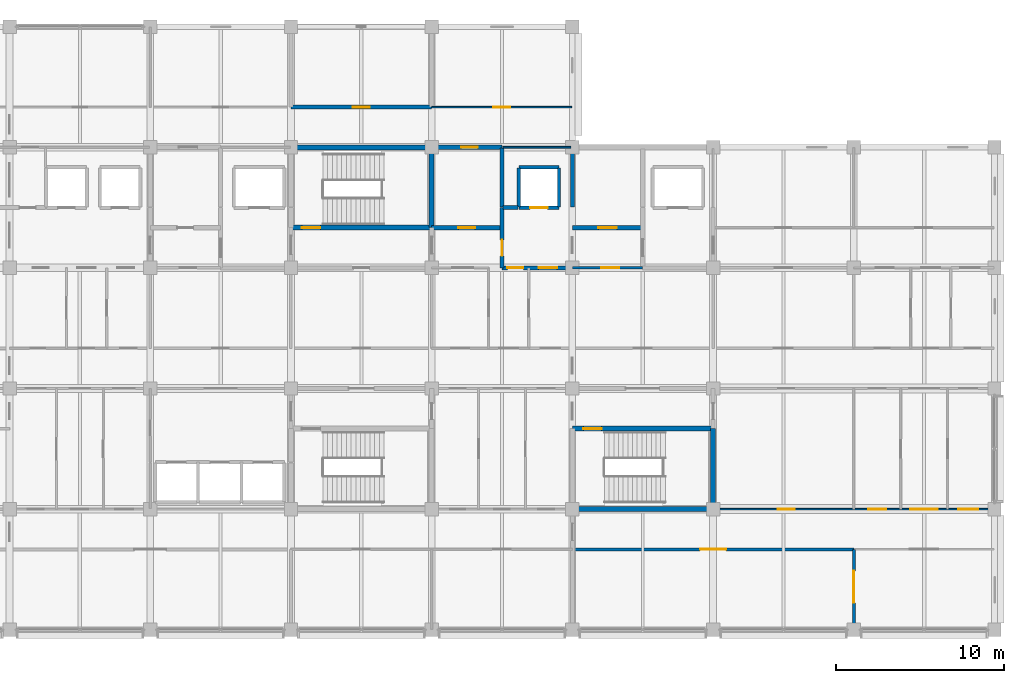
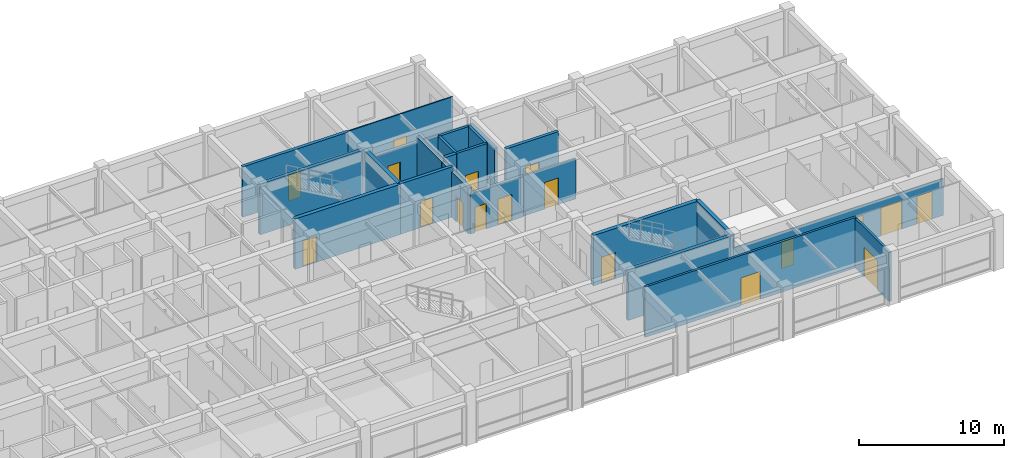
# One storey, part 24 of 30: 25 walls, 18 doors, 18 openings.
"""IFC4 building model written with IfcOpenShell, lengths in metres."""

from ifc_helpers import new_model, si_unit, direction, frame, frame_2d, origin, place, context, subcontext, project, spatial, rectangle, extrude, material, layer, layer_set, type_object, element, fill, save


model = new_model("IFC4")

# Units and contexts
model_context = context("Model", 3, precision=1e-05, world=origin(), true_north=direction((0.0, 1.0)))
body_context = subcontext(model_context, "Body", "Model", "MODEL_VIEW")
ifc_project = project(units=[si_unit("LENGTHUNIT", "METRE"), si_unit("AREAUNIT", "SQUARE_METRE"), si_unit("VOLUMEUNIT", "CUBIC_METRE"), si_unit("PLANEANGLEUNIT", "RADIAN"), si_unit("MASSUNIT", "GRAM", prefix="KILO")], contexts=[model_context])

# Site, building, storey
site_placement = place(None, origin())
site = spatial("IfcSite", under=ifc_project, at=site_placement, CompositionType="ELEMENT")
building_placement = place(site_placement, origin())
building = spatial("IfcBuilding", under=site, at=building_placement, Name="Chengyuan Square Courthouse", CompositionType="ELEMENT")
storey_placement = place(building_placement, frame((0.0, 0.0, 30.60009765625)))
storey = spatial("IfcBuildingStorey", under=building, at=storey_placement, Name="L07", CompositionType="ELEMENT", Elevation=30.60009765625)

# Wall, openings, doors
ifc_material_1 = material(Name="Concrete C40", Category="concrete")
ifc_layer_1 = layer(ifc_material_1, 0.25)
ifc_layer_set_1 = layer_set([ifc_layer_1], Name="Concrete C40")
wall_type_1 = type_object("IfcWallType", Name="WL-FW1", PredefinedType="STANDARD", material=ifc_layer_set_1)
wall_1_placement = place(storey_placement, frame((113.39990234375, 100.800048828125, 0.0), z_axis=(0.0, 0.0, 1.0), x_axis=(1.0, 0.0, 0.0)))
wall_1 = element("IfcWall", 1, at=wall_1_placement, inside=storey, type_object=wall_type_1, Name="Interior Wall WL-L07-I2680", PredefinedType="STANDARD", context=body_context, shape_type="SweptSolid", body=[
    extrude(rectangle(XDim=4.2001953125, YDim=0.25, at=frame_2d((2.10009765625, 0.0))), origin(), (0.0, 0.0, 1.0), 3.389892578125),
])
opening_1_placement = place(wall_1_placement, frame((0.324951171875, 0.0, 0.0)))
opening_1 = element("IfcOpeningElement", 2, at=opening_1_placement, cuts=wall_1, Name="Opening DR-2368", PredefinedType="OPENING", context=body_context, shape_type="SweptSolid", body=[
    extrude(rectangle(XDim=0.949951171875, YDim=2.14990234375, at=frame_2d((0.47509765625, 1.074951171875))), frame((0.0, 0.136962890625, 0.0), z_axis=(0.0, -1.0, 0.0), x_axis=(1.0, 0.0, 0.0)), (0.0, 0.0, 1.0), 0.27392578125),
])
opening_2_placement = place(wall_1_placement, frame((2.18994140625, 0.0, 0.0)))
opening_2 = element("IfcOpeningElement", 3, at=opening_2_placement, cuts=wall_1, Name="Opening DR-2369", PredefinedType="OPENING", context=body_context, shape_type="SweptSolid", body=[
    extrude(rectangle(XDim=1.10009765625, YDim=2.199951171875, at=frame_2d((0.550048828125, 1.10009765625))), frame((0.0, 0.136962890625, 0.0), z_axis=(0.0, -1.0, 0.0), x_axis=(1.0, 0.0, 0.0)), (0.0, 0.0, 1.0), 0.27392578125),
])
ifc_material_2 = material(Name="Steel Q235B Fire Door", Category="steel")
door_type_1 = type_object("IfcDoorType", Name="DT-10", OperationType="NOTDEFINED", PredefinedType="DOOR", material=ifc_material_2)
door_1_placement = place(opening_2_placement, origin())
door_1 = element("IfcDoor", 4, at=door_1_placement, inside=storey, type_object=door_type_1, Name="Interior Door DR-2369", OperationType="SINGLE_SWING_LEFT", OverallHeight=2.199951171875, OverallWidth=1.10009765625, PredefinedType="DOOR", context=body_context, shape_type="SweptSolid", body=[
    extrude(rectangle(XDim=1.10009765625, YDim=2.199951171875, at=frame_2d((0.550048828125, 1.10009765625))), frame((0.0, 0.02490234375, 0.0), z_axis=(0.0, -1.0, 0.0), x_axis=(1.0, 0.0, 0.0)), (0.0, 0.0, 1.0), 0.050048828125),
])
fill(opening_2, door_1)
door_type_2 = type_object("IfcDoorType", Name="DT-12", OperationType="NOTDEFINED", PredefinedType="DOOR", material=ifc_material_2)
door_2_placement = place(opening_1_placement, origin())
door_2 = element("IfcDoor", 5, at=door_2_placement, inside=storey, type_object=door_type_2, Name="Interior Door DR-2368", OperationType="SINGLE_SWING_RIGHT", OverallHeight=2.14990234375, OverallWidth=0.949951171875, PredefinedType="DOOR", context=body_context, shape_type="SweptSolid", body=[
    extrude(rectangle(XDim=0.949951171875, YDim=2.14990234375, at=frame_2d((0.47509765625, 1.074951171875))), frame((0.0, 0.02490234375, 0.0), z_axis=(0.0, -1.0, 0.0), x_axis=(1.0, 0.0, 0.0)), (0.0, 0.0, 1.0), 0.050048828125),
])
fill(opening_1, door_2)

# Wall, opening, door
wall_2_placement = place(storey_placement, frame((109.199951171875, 103.199951171875, 0.0), z_axis=(0.0, 0.0, 1.0), x_axis=(1.0, 0.0, 0.0)))
wall_2 = element("IfcWall", 6, at=wall_2_placement, inside=storey, type_object=wall_type_1, Name="Interior Wall WL-L07-I2693", PredefinedType="STANDARD", context=body_context, shape_type="SweptSolid", body=[
    extrude(rectangle(XDim=4.199951171875, YDim=0.25, at=frame_2d((2.10009765625, 0.0))), origin(), (0.0, 0.0, 1.0), 4.239990234375),
])
opening_3_placement = place(wall_2_placement, frame((1.60009765625, 0.0, 0.0)))
opening_3 = element("IfcOpeningElement", 7, at=opening_3_placement, cuts=wall_2, Name="Opening DR-2364", PredefinedType="OPENING", context=body_context, shape_type="SweptSolid", body=[
    extrude(rectangle(XDim=1.0, YDim=2.199951171875, at=frame_2d((0.5, 1.10009765625))), frame((0.0, 0.136962890625, 0.0), z_axis=(0.0, -1.0, 0.0), x_axis=(1.0, 0.0, 0.0)), (0.0, 0.0, 1.0), 0.27392578125),
])
door_type_3 = type_object("IfcDoorType", Name="DT-11", OperationType="NOTDEFINED", PredefinedType="DOOR", material=ifc_material_2)
door_3_placement = place(opening_3_placement, origin())
door_3 = element("IfcDoor", 8, at=door_3_placement, inside=storey, type_object=door_type_3, Name="Interior Door DR-2364", OperationType="SINGLE_SWING_RIGHT", OverallHeight=2.199951171875, OverallWidth=1.0, PredefinedType="DOOR", context=body_context, shape_type="SweptSolid", body=[
    extrude(rectangle(XDim=1.0, YDim=2.199951171875, at=frame_2d((0.5, 1.10009765625))), frame((0.0, 0.02490234375, 0.0), z_axis=(0.0, -1.0, 0.0), x_axis=(1.0, 0.0, 0.0)), (0.0, 0.0, 1.0), 0.050048828125),
])
fill(opening_3, door_3)

wall_3_placement = place(storey_placement, frame((117.60009765625, 103.199951171875, 0.0), z_axis=(0.0, 0.0, 1.0), x_axis=(1.0, 0.0, 0.0)))
wall_3 = element("IfcWall", 9, at=wall_3_placement, inside=storey, type_object=wall_type_1, Name="Interior Wall WL-L07-I2694", PredefinedType="STANDARD", context=body_context, shape_type="SweptSolid", body=[
    extrude(rectangle(XDim=4.199951171875, YDim=0.25, at=frame_2d((2.10009765625, 0.0))), origin(), (0.0, 0.0, 1.0), 4.239990234375),
])
opening_4_placement = place(wall_3_placement, frame((1.550048828125, 0.0, 0.0)))
opening_4 = element("IfcOpeningElement", 10, at=opening_4_placement, cuts=wall_3, Name="Opening DR-2342", PredefinedType="OPENING", context=body_context, shape_type="SweptSolid", body=[
    extrude(rectangle(XDim=1.10009765625, YDim=2.199951171875, at=frame_2d((0.550048828125, 1.10009765625))), frame((0.0, 0.136962890625, 0.0), z_axis=(0.0, -1.0, 0.0), x_axis=(1.0, 0.0, 0.0)), (0.0, 0.0, 1.0), 0.27392578125),
])
door_4_placement = place(opening_4_placement, origin())
door_4 = element("IfcDoor", 11, at=door_4_placement, inside=storey, type_object=door_type_1, Name="Interior Door DR-2342", OperationType="SINGLE_SWING_LEFT", OverallHeight=2.199951171875, OverallWidth=1.10009765625, PredefinedType="DOOR", context=body_context, shape_type="SweptSolid", body=[
    extrude(rectangle(XDim=1.10009765625, YDim=2.199951171875, at=frame_2d((0.550048828125, 1.10009765625))), frame((0.0, 0.02490234375, 0.0), z_axis=(0.0, -1.0, 0.0), x_axis=(1.0, 0.0, 0.0)), (0.0, 0.0, 1.0), 0.050048828125),
])
fill(opening_4, door_4)

# Wall
wall_4_placement = place(storey_placement, frame((113.449951171875, 104.39990234375, 0.0), z_axis=(0.0, 0.0, 1.0), x_axis=(1.0, 0.0, 0.0)))
element("IfcWall", 12, at=wall_4_placement, inside=storey, type_object=wall_type_1, Name="Interior Wall WL-L07-I2706", PredefinedType="STANDARD", context=body_context, shape_type="SweptSolid", body=[
    extrude(rectangle(XDim=0.900146484375, YDim=0.25, at=frame_2d((0.4501953125, 0.0))), origin(), (0.0, 0.0, 1.0), 4.239990234375),
])

# Wall, opening, door
wall_5_placement = place(storey_placement, frame((109.199951171875, 108.0, 0.0), z_axis=(0.0, 0.0, 1.0), x_axis=(1.0, 0.0, 0.0)))
wall_5 = element("IfcWall", 13, at=wall_5_placement, inside=storey, type_object=wall_type_1, Name="Interior Wall WL-L07-I2730", PredefinedType="STANDARD", context=body_context, shape_type="SweptSolid", body=[
    extrude(rectangle(XDim=4.199951171875, YDim=0.25, at=frame_2d((2.10009765625, 0.0))), origin(), (0.0, 0.0, 1.0), 3.389892578125),
])
opening_5_placement = place(wall_5_placement, frame((1.760009765625, 0.0, 0.0)))
opening_5 = element("IfcOpeningElement", 14, at=opening_5_placement, cuts=wall_5, Name="Opening DR-2367", PredefinedType="OPENING", context=body_context, shape_type="SweptSolid", body=[
    extrude(rectangle(XDim=1.0, YDim=2.199951171875, at=frame_2d((0.5, 1.10009765625))), frame((0.0, 0.136962890625, 0.0), z_axis=(0.0, -1.0, 0.0), x_axis=(1.0, 0.0, 0.0)), (0.0, 0.0, 1.0), 0.27392578125),
])
door_5_placement = place(opening_5_placement, origin())
door_5 = element("IfcDoor", 15, at=door_5_placement, inside=storey, type_object=door_type_3, Name="Interior Door DR-2367", OperationType="SINGLE_SWING_LEFT", OverallHeight=2.199951171875, OverallWidth=1.0, PredefinedType="DOOR", context=body_context, shape_type="SweptSolid", body=[
    extrude(rectangle(XDim=1.0, YDim=2.199951171875, at=frame_2d((0.5, 1.10009765625))), frame((0.0, 0.02490234375, 0.0), z_axis=(0.0, -1.0, 0.0), x_axis=(1.0, 0.0, 0.0)), (0.0, 0.0, 1.0), 0.050048828125),
])
fill(opening_5, door_5)

wall_6_placement = place(storey_placement, frame((100.800048828125, 110.39990234375, 0.0), z_axis=(0.0, 0.0, 1.0), x_axis=(1.0, 0.0, 0.0)))
wall_6 = element("IfcWall", 16, at=wall_6_placement, inside=storey, type_object=wall_type_1, Name="Interior Wall WL-L07-I2735", PredefinedType="STANDARD", context=body_context, shape_type="SweptSolid", body=[
    extrude(rectangle(XDim=8.39990234375, YDim=0.25, at=frame_2d((4.199951171875, 0.0))), origin(), (0.0, 0.0, 1.0), 4.239990234375),
])
opening_6_placement = place(wall_6_placement, frame((3.699951171875, 0.0, 0.0)))
opening_6 = element("IfcOpeningElement", 17, at=opening_6_placement, cuts=wall_6, Name="Opening DR-2478", PredefinedType="OPENING", context=body_context, shape_type="SweptSolid", body=[
    extrude(rectangle(XDim=1.0, YDim=2.199951171875, at=frame_2d((0.5, 1.10009765625))), frame((0.0, 0.136962890625, 0.0), z_axis=(0.0, -1.0, 0.0), x_axis=(1.0, 0.0, 0.0)), (0.0, 0.0, 1.0), 0.27392578125),
])
door_6_placement = place(opening_6_placement, origin())
door_6 = element("IfcDoor", 18, at=door_6_placement, inside=storey, type_object=door_type_3, Name="Interior Door DR-2478", OperationType="SINGLE_SWING_RIGHT", OverallHeight=2.199951171875, OverallWidth=1.0, PredefinedType="DOOR", context=body_context, shape_type="SweptSolid", body=[
    extrude(rectangle(XDim=1.0, YDim=2.199951171875, at=frame_2d((0.5, 1.10009765625))), frame((0.0, 0.02490234375, 0.0), z_axis=(0.0, -1.0, 0.0), x_axis=(1.0, 0.0, 0.0)), (0.0, 0.0, 1.0), 0.050048828125),
])
fill(opening_6, door_6)

wall_7_placement = place(storey_placement, frame((113.39990234375, 100.800048828125, 0.0), z_axis=(0.0, 0.0, 1.0), x_axis=(0.0, 1.0, 0.0)))
wall_7 = element("IfcWall", 19, at=wall_7_placement, inside=storey, type_object=wall_type_1, Name="Interior Wall WL-L07-I2846", PredefinedType="STANDARD", context=body_context, shape_type="SweptSolid", body=[
    extrude(rectangle(XDim=3.599853515625, YDim=0.25, at=frame_2d((1.7998046875, 0.0))), origin(), (0.0, 0.0, 1.0), 3.83984375),
])
opening_7_placement = place(wall_7_placement, frame((0.72509765625, 0.0, 0.0)))
opening_7 = element("IfcOpeningElement", 20, at=opening_7_placement, cuts=wall_7, Name="Opening DR-2365", PredefinedType="OPENING", context=body_context, shape_type="SweptSolid", body=[
    extrude(rectangle(XDim=0.949951171875, YDim=2.14990234375, at=frame_2d((0.47509765625, 1.074951171875))), frame((0.0, 0.136962890625, 0.0), z_axis=(0.0, -1.0, 0.0), x_axis=(1.0, 0.0, 0.0)), (0.0, 0.0, 1.0), 0.27392578125),
])
door_7_placement = place(opening_7_placement, origin())
door_7 = element("IfcDoor", 21, at=door_7_placement, inside=storey, type_object=door_type_2, Name="Interior Door DR-2365", OperationType="SINGLE_SWING_LEFT", OverallHeight=2.14990234375, OverallWidth=0.949951171875, PredefinedType="DOOR", context=body_context, shape_type="SweptSolid", body=[
    extrude(rectangle(XDim=0.949951171875, YDim=2.14990234375, at=frame_2d((0.47509765625, 1.074951171875))), frame((0.0, 0.02490234375, 0.0), z_axis=(0.0, -1.0, 0.0), x_axis=(1.0, 0.0, 0.0)), (0.0, 0.0, 1.0), 0.050048828125),
])
fill(opening_7, door_7)

# Walls
wall_8_placement = place(storey_placement, frame((113.39990234375, 104.449951171875, 0.0), z_axis=(0.0, 0.0, 1.0), x_axis=(0.0, 1.0, 0.0)))
element("IfcWall", 22, at=wall_8_placement, inside=storey, type_object=wall_type_1, Name="Interior Wall WL-L07-I2847", PredefinedType="STANDARD", context=body_context, shape_type="SweptSolid", body=[
    extrude(rectangle(XDim=3.5, YDim=0.25, at=frame_2d((1.75, 0.0))), origin(), (0.0, 0.0, 1.0), 3.83984375),
])
wall_9_placement = place(storey_placement, frame((117.60009765625, 104.449951171875, 0.0), z_axis=(0.0, 0.0, 1.0), x_axis=(0.0, 1.0, 0.0)))
element("IfcWall", 23, at=wall_9_placement, inside=storey, type_object=wall_type_1, Name="Interior Wall WL-L07-I2855", PredefinedType="STANDARD", context=body_context, shape_type="SweptSolid", body=[
    extrude(rectangle(XDim=3.4599609375, YDim=0.25, at=frame_2d((1.72998046875, 0.0))), origin(), (0.0, 0.0, 1.0), 3.489990234375),
])

# Wall, opening, door
ifc_material_3 = material(Name="Double-Stud Acoustic Gypsum Courtroom Partition")
ifc_layer_2 = layer(ifc_material_3, 0.179931640625)
ifc_layer_set_2 = layer_set([ifc_layer_2], Name="Double-Stud Acoustic Gypsum Courtroom Partition")
wall_type_2 = type_object("IfcWallType", Name="WL-PT1", PredefinedType="STANDARD", material=ifc_layer_set_2)
wall_10_placement = place(storey_placement, frame((117.60009765625, 84.0, 0.0), z_axis=(0.0, 0.0, 1.0), x_axis=(1.0, 0.0, 0.0)))
wall_10 = element("IfcWall", 24, at=wall_10_placement, inside=storey, type_object=wall_type_2, Name="Interior Wall WL-L07-I2621", PredefinedType="STANDARD", context=body_context, shape_type="SweptSolid", body=[
    extrude(rectangle(XDim=16.7998046875, YDim=0.179931640625, at=frame_2d((8.39990234375, 0.0))), origin(), (0.0, 0.0, 1.0), 4.239990234375),
])
opening_8_placement = place(wall_10_placement, frame((7.625, 0.0, 0.0)))
opening_8 = element("IfcOpeningElement", 25, at=opening_8_placement, cuts=wall_10, Name="Opening DR-2491", PredefinedType="OPENING", context=body_context, shape_type="SweptSolid", body=[
    extrude(rectangle(XDim=1.550048828125, YDim=2.35009765625, at=frame_2d((0.77490234375, 1.175048828125))), frame((0.0, 0.10205078125, 0.0), z_axis=(0.0, -1.0, 0.0), x_axis=(1.0, 0.0, 0.0)), (0.0, 0.0, 1.0), 0.203857421875),
])
ifc_material_4 = material(Name="Acoustic Larch Veneer Double Door")
door_type_4 = type_object("IfcDoorType", Name="DT-23", OperationType="DOUBLE_DOOR_SINGLE_SWING", PredefinedType="DOOR", material=ifc_material_4)
door_8_placement = place(opening_8_placement, frame((1.550048828125, 0.0, 0.0), z_axis=(0.0, 0.0, 1.0), x_axis=(-1.0, 0.0, 0.0)))
door_8 = element("IfcDoor", 26, at=door_8_placement, inside=storey, type_object=door_type_4, Name="Interior Door DR-2491", OperationType="DOUBLE_DOOR_SINGLE_SWING", OverallHeight=2.35009765625, OverallWidth=1.550048828125, PredefinedType="DOOR", context=body_context, shape_type="SweptSolid", body=[
    extrude(rectangle(XDim=1.550048828125, YDim=2.35009765625, at=frame_2d((0.77490234375, 1.175048828125))), frame((0.0, 0.02490234375, 0.0), z_axis=(0.0, -1.0, 0.0), x_axis=(1.0, 0.0, 0.0)), (0.0, 0.0, 1.0), 0.050048828125),
])
fill(opening_8, door_8)

wall_11_placement = place(storey_placement, frame((134.39990234375, 79.239990234375, 0.0), z_axis=(0.0, 0.0, 1.0), x_axis=(0.0, 1.0, 0.0)))
wall_11 = element("IfcWall", 27, at=wall_11_placement, inside=storey, type_object=wall_type_2, Name="Interior Wall WL-L07-I2865", PredefinedType="STANDARD", context=body_context, shape_type="SweptSolid", body=[
    extrude(rectangle(XDim=4.760009765625, YDim=0.179931640625, at=frame_2d((2.3798828125, 0.0))), origin(), (0.0, 0.0, 1.0), 4.14990234375),
])
opening_9_placement = place(wall_11_placement, frame((1.570068359375, 0.0, 0.0)))
opening_9 = element("IfcOpeningElement", 28, at=opening_9_placement, cuts=wall_11, Name="Opening DR-2494", PredefinedType="OPENING", context=body_context, shape_type="SweptSolid", body=[
    extrude(rectangle(XDim=1.89990234375, YDim=2.5, at=frame_2d((0.949951171875, 1.25))), frame((0.0, 0.10205078125, 0.0), z_axis=(0.0, -1.0, 0.0), x_axis=(1.0, 0.0, 0.0)), (0.0, 0.0, 1.0), 0.203857421875),
])
door_type_5 = type_object("IfcDoorType", Name="DT-26", OperationType="DOUBLE_DOOR_SINGLE_SWING", PredefinedType="DOOR", material=ifc_material_4)
door_9_placement = place(opening_9_placement, frame((1.89990234375, 0.0, 0.0), z_axis=(0.0, 0.0, 1.0), x_axis=(-1.0, 0.0, 0.0)))
door_9 = element("IfcDoor", 29, at=door_9_placement, inside=storey, type_object=door_type_5, Name="Interior Door DR-2494", OperationType="DOUBLE_DOOR_SINGLE_SWING", OverallHeight=2.5, OverallWidth=1.89990234375, PredefinedType="DOOR", context=body_context, shape_type="SweptSolid", body=[
    extrude(rectangle(XDim=1.89990234375, YDim=2.5, at=frame_2d((0.949951171875, 1.25))), frame((0.0, 0.02490234375, 0.0), z_axis=(0.0, -1.0, 0.0), x_axis=(1.0, 0.0, 0.0)), (0.0, 0.0, 1.0), 0.050048828125),
])
fill(opening_9, door_9)

ifc_material_5 = material(Name="Deliberation Room Sound-Insulated Partition")
ifc_layer_3 = layer(ifc_material_5, 0.14990234375)
ifc_layer_set_3 = layer_set([ifc_layer_3], Name="Deliberation Room Sound-Insulated Partition")
wall_type_3 = type_object("IfcWallType", Name="WL-PT3", PredefinedType="STANDARD", material=ifc_layer_set_3)
wall_12_placement = place(storey_placement, frame((117.60009765625, 100.800048828125, 0.0), z_axis=(0.0, 0.0, 1.0), x_axis=(1.0, 0.0, 0.0)))
wall_12 = element("IfcWall", 30, at=wall_12_placement, inside=storey, type_object=wall_type_3, Name="Interior Wall WL-L07-I2681", PredefinedType="STANDARD", context=body_context, shape_type="SweptSolid", body=[
    extrude(rectangle(XDim=4.199951171875, YDim=0.14990234375, at=frame_2d((2.10009765625, 0.0))), origin(), (0.0, 0.0, 1.0), 3.389892578125),
])
opening_10_placement = place(wall_12_placement, frame((1.719970703125, 0.0, 0.0)))
opening_10 = element("IfcOpeningElement", 31, at=opening_10_placement, cuts=wall_12, Name="Opening DR-2345", PredefinedType="OPENING", context=body_context, shape_type="SweptSolid", body=[
    extrude(rectangle(XDim=1.080078125, YDim=2.25, at=frame_2d((0.5400390625, 1.125))), frame((0.0, 0.0869140625, 0.0), z_axis=(0.0, -1.0, 0.0), x_axis=(1.0, 0.0, 0.0)), (0.0, 0.0, 1.0), 0.173828125),
])
ifc_material_6 = material(Name="Acoustic Solid-Core Timber Door", Category="wood")
door_type_6 = type_object("IfcDoorType", Name="DT-33", OperationType="NOTDEFINED", PredefinedType="DOOR", material=ifc_material_6)
door_10_placement = place(opening_10_placement, origin())
door_10 = element("IfcDoor", 32, at=door_10_placement, inside=storey, type_object=door_type_6, Name="Interior Door DR-2345", OperationType="SINGLE_SWING_RIGHT", OverallHeight=2.25, OverallWidth=1.080078125, PredefinedType="DOOR", context=body_context, shape_type="SweptSolid", body=[
    extrude(rectangle(XDim=1.080078125, YDim=2.25, at=frame_2d((0.5400390625, 1.125))), frame((0.0, 0.02490234375, 0.0), z_axis=(0.0, -1.0, 0.0), x_axis=(1.0, 0.0, 0.0)), (0.0, 0.0, 1.0), 0.050048828125),
])
fill(opening_10, door_10)

# Wall, openings, doors
ifc_material_7 = material(Name="Gypsum Plasterboard Acoustic Stud Partition")
ifc_layer_4 = layer(ifc_material_7, 0.10009765625)
ifc_layer_set_4 = layer_set([ifc_layer_4], Name="Gypsum Plasterboard Acoustic Stud Partition")
wall_type_4 = type_object("IfcWallType", Name="WL-PT6", PredefinedType="STANDARD", material=ifc_layer_set_4)
wall_13_placement = place(storey_placement, frame((126.0, 86.39990234375, 0.0), z_axis=(0.0, 0.0, 1.0), x_axis=(1.0, 0.0, 0.0)))
wall_13 = element("IfcWall", 33, at=wall_13_placement, inside=storey, type_object=wall_type_4, Name="Interior Wall WL-L07-I2634", PredefinedType="STANDARD", context=body_context, shape_type="SweptSolid", body=[
    extrude(rectangle(XDim=16.760009765625, YDim=0.10009765625, at=frame_2d((8.3798828125, 0.0))), origin(), (0.0, 0.0, 1.0), 3.099853515625),
])
opening_11_placement = place(wall_13_placement, frame((3.860107421875, 0.0, 0.0)))
opening_11 = element("IfcOpeningElement", 34, at=opening_11_placement, cuts=wall_13, Name="Opening DR-2462", PredefinedType="OPENING", context=body_context, shape_type="SweptSolid", body=[
    extrude(rectangle(XDim=1.0, YDim=2.25, at=frame_2d((0.5, 1.125))), frame((0.0, 0.06201171875, 0.0), z_axis=(0.0, -1.0, 0.0), x_axis=(1.0, 0.0, 0.0)), (0.0, 0.0, 1.0), 0.1240234375),
])
opening_12_placement = place(wall_13_placement, frame((9.260009765625, 0.0, 0.0)))
opening_12 = element("IfcOpeningElement", 35, at=opening_12_placement, cuts=wall_13, Name="Opening DR-2464", PredefinedType="OPENING", context=body_context, shape_type="SweptSolid", body=[
    extrude(rectangle(XDim=1.080078125, YDim=2.25, at=frame_2d((0.5400390625, 1.125))), frame((0.0, 0.06201171875, 0.0), z_axis=(0.0, -1.0, 0.0), x_axis=(1.0, 0.0, 0.0)), (0.0, 0.0, 1.0), 0.1240234375),
])
opening_13_placement = place(wall_13_placement, frame((11.77490234375, 0.0, 0.0)))
opening_13 = element("IfcOpeningElement", 36, at=opening_13_placement, cuts=wall_13, Name="Opening DR-2466", PredefinedType="OPENING", context=body_context, shape_type="SweptSolid", body=[
    extrude(rectangle(XDim=1.64990234375, YDim=2.39990234375, at=frame_2d((0.824951171875, 1.199951171875))), frame((0.0, 0.06201171875, 0.0), z_axis=(0.0, -1.0, 0.0), x_axis=(1.0, 0.0, 0.0)), (0.0, 0.0, 1.0), 0.1240234375),
])
opening_14_placement = place(wall_13_placement, frame((14.639892578125, 0.0, 0.0)))
opening_14 = element("IfcOpeningElement", 37, at=opening_14_placement, cuts=wall_13, Name="Opening DR-2467", PredefinedType="OPENING", context=body_context, shape_type="SweptSolid", body=[
    extrude(rectangle(XDim=1.199951171875, YDim=2.35009765625, at=frame_2d((0.60009765625, 1.175048828125))), frame((0.0, 0.06201171875, 0.0), z_axis=(0.0, -1.0, 0.0), x_axis=(1.0, 0.0, 0.0)), (0.0, 0.0, 1.0), 0.1240234375),
])
door_type_7 = type_object("IfcDoorType", Name="DT-22", OperationType="DOUBLE_DOOR_SINGLE_SWING", PredefinedType="DOOR", material=ifc_material_4)
door_11_placement = place(opening_13_placement, frame((1.64990234375, 0.0, 0.0), z_axis=(0.0, 0.0, 1.0), x_axis=(-1.0, 0.0, 0.0)))
door_11 = element("IfcDoor", 38, at=door_11_placement, inside=storey, type_object=door_type_7, Name="Interior Door DR-2466", OperationType="DOUBLE_DOOR_SINGLE_SWING", OverallHeight=2.39990234375, OverallWidth=1.64990234375, PredefinedType="DOOR", context=body_context, shape_type="SweptSolid", body=[
    extrude(rectangle(XDim=1.64990234375, YDim=2.39990234375, at=frame_2d((0.824951171875, 1.199951171875))), frame((0.0, 0.02490234375, 0.0), z_axis=(0.0, -1.0, 0.0), x_axis=(1.0, 0.0, 0.0)), (0.0, 0.0, 1.0), 0.050048828125),
])
fill(opening_13, door_11)
door_type_8 = type_object("IfcDoorType", Name="DT-31", OperationType="NOTDEFINED", PredefinedType="DOOR", material=ifc_material_6)
door_12_placement = place(opening_11_placement, origin())
door_12 = element("IfcDoor", 39, at=door_12_placement, inside=storey, type_object=door_type_8, Name="Interior Door DR-2462", OperationType="SINGLE_SWING_RIGHT", OverallHeight=2.25, OverallWidth=1.0, PredefinedType="DOOR", context=body_context, shape_type="SweptSolid", body=[
    extrude(rectangle(XDim=1.0, YDim=2.25, at=frame_2d((0.5, 1.125))), frame((0.0, 0.02490234375, 0.0), z_axis=(0.0, -1.0, 0.0), x_axis=(1.0, 0.0, 0.0)), (0.0, 0.0, 1.0), 0.050048828125),
])
fill(opening_11, door_12)
door_13_placement = place(opening_12_placement, origin())
door_13 = element("IfcDoor", 40, at=door_13_placement, inside=storey, type_object=door_type_6, Name="Interior Door DR-2464", OperationType="SINGLE_SWING_RIGHT", OverallHeight=2.25, OverallWidth=1.080078125, PredefinedType="DOOR", context=body_context, shape_type="SweptSolid", body=[
    extrude(rectangle(XDim=1.080078125, YDim=2.25, at=frame_2d((0.5400390625, 1.125))), frame((0.0, 0.02490234375, 0.0), z_axis=(0.0, -1.0, 0.0), x_axis=(1.0, 0.0, 0.0)), (0.0, 0.0, 1.0), 0.050048828125),
])
fill(opening_12, door_13)
door_type_9 = type_object("IfcDoorType", Name="DT-36", OperationType="NOTDEFINED", PredefinedType="DOOR", material=ifc_material_6)
door_14_placement = place(opening_14_placement, origin())
door_14 = element("IfcDoor", 41, at=door_14_placement, inside=storey, type_object=door_type_9, Name="Interior Door DR-2467", OperationType="SINGLE_SWING_RIGHT", OverallHeight=2.35009765625, OverallWidth=1.199951171875, PredefinedType="DOOR", context=body_context, shape_type="SweptSolid", body=[
    extrude(rectangle(XDim=1.199951171875, YDim=2.35009765625, at=frame_2d((0.60009765625, 1.175048828125))), frame((0.0, 0.02490234375, 0.0), z_axis=(0.0, -1.0, 0.0), x_axis=(1.0, 0.0, 0.0)), (0.0, 0.0, 1.0), 0.050048828125),
])
fill(opening_14, door_14)

# Wall
wall_14_placement = place(storey_placement, frame((113.449951171875, 108.0, 0.0), z_axis=(0.0, 0.0, 1.0), x_axis=(1.0, 0.0, 0.0)))
element("IfcWall", 42, at=wall_14_placement, inside=storey, type_object=wall_type_4, Name="Interior Wall WL-L07-I2731", PredefinedType="STANDARD", context=body_context, shape_type="SweptSolid", body=[
    extrude(rectangle(XDim=4.06005859375, YDim=0.10009765625, at=frame_2d((2.030029296875, 0.0))), origin(), (0.0, 0.0, 1.0), 3.389892578125),
])

# Wall, opening, door
wall_15_placement = place(storey_placement, frame((109.199951171875, 110.39990234375, 0.0), z_axis=(0.0, 0.0, 1.0), x_axis=(1.0, 0.0, 0.0)))
wall_15 = element("IfcWall", 43, at=wall_15_placement, inside=storey, type_object=wall_type_4, Name="Interior Wall WL-L07-I2736", PredefinedType="STANDARD", context=body_context, shape_type="SweptSolid", body=[
    extrude(rectangle(XDim=8.360107421875, YDim=0.10009765625, at=frame_2d((4.18017578125, 0.0))), origin(), (0.0, 0.0, 1.0), 4.239990234375),
])
opening_15_placement = place(wall_15_placement, frame((3.679931640625, 0.0, 0.0)))
opening_15 = element("IfcOpeningElement", 44, at=opening_15_placement, cuts=wall_15, Name="Opening DR-2479", PredefinedType="OPENING", context=body_context, shape_type="SweptSolid", body=[
    extrude(rectangle(XDim=1.0, YDim=2.25, at=frame_2d((0.5, 1.125))), frame((0.0, 0.06201171875, 0.0), z_axis=(0.0, -1.0, 0.0), x_axis=(1.0, 0.0, 0.0)), (0.0, 0.0, 1.0), 0.1240234375),
])
door_15_placement = place(opening_15_placement, origin())
door_15 = element("IfcDoor", 45, at=door_15_placement, inside=storey, type_object=door_type_8, Name="Interior Door DR-2479", OperationType="SINGLE_SWING_LEFT", OverallHeight=2.25, OverallWidth=1.0, PredefinedType="DOOR", context=body_context, shape_type="SweptSolid", body=[
    extrude(rectangle(XDim=1.0, YDim=2.25, at=frame_2d((0.5, 1.125))), frame((0.0, 0.02490234375, 0.0), z_axis=(0.0, -1.0, 0.0), x_axis=(1.0, 0.0, 0.0)), (0.0, 0.0, 1.0), 0.050048828125),
])
fill(opening_15, door_15)

ifc_material_8 = material(Name="Reinforced Masonry Shaft Enclosure", Category="masonry")
ifc_layer_5 = layer(ifc_material_8, 0.199951171875)
ifc_layer_set_5 = layer_set([ifc_layer_5], Name="Reinforced Masonry Shaft Enclosure")
wall_type_5 = type_object("IfcWallType", Name="WL-SH1", PredefinedType="STANDARD", material=ifc_layer_set_5)
wall_16_placement = place(storey_placement, frame((114.39990234375, 104.39990234375, 0.0), z_axis=(0.0, 0.0, 1.0), x_axis=(1.0, 0.0, 0.0)))
wall_16 = element("IfcWall", 46, at=wall_16_placement, inside=storey, type_object=wall_type_5, Name="Interior Wall WL-L07-I2707", PredefinedType="STANDARD", context=body_context, shape_type="SweptSolid", body=[
    extrude(rectangle(XDim=2.400146484375, YDim=0.199951171875, at=frame_2d((1.2001953125, 0.0))), origin(), (0.0, 0.0, 1.0), 4.239990234375),
])
opening_16_placement = place(wall_16_placement, frame((0.675048828125, 0.0, 0.0)))
opening_16 = element("IfcOpeningElement", 47, at=opening_16_placement, cuts=wall_16, Name="Opening LD-132", PredefinedType="OPENING", context=body_context, shape_type="SweptSolid", body=[
    extrude(rectangle(XDim=1.050048828125, YDim=2.14990234375, at=frame_2d((0.52490234375, 1.074951171875))), frame((0.0, 0.112060546875, 0.0), z_axis=(0.0, -1.0, 0.0), x_axis=(1.0, 0.0, 0.0)), (0.0, 0.0, 1.0), 0.223876953125),
])
ifc_material_9 = material(Name="Stainless Steel S30408 Lift Landing Door", Category="steel")
door_type_10 = type_object("IfcDoorType", Name="DT-08", OperationType="DOUBLE_DOOR_SLIDING", PredefinedType="DOOR", material=ifc_material_9)
door_16_placement = place(opening_16_placement, origin())
door_16 = element("IfcDoor", 48, at=door_16_placement, inside=storey, type_object=door_type_10, Name="Lift Landing Door LF-C2 L07", OperationType="DOUBLE_DOOR_SLIDING", OverallHeight=2.14990234375, OverallWidth=1.050048828125, PredefinedType="DOOR", context=body_context, shape_type="SweptSolid", body=[
    extrude(rectangle(XDim=1.050048828125, YDim=2.14990234375, at=frame_2d((0.52490234375, 1.074951171875))), frame((0.0, 0.02490234375, 0.0), z_axis=(0.0, -1.0, 0.0), x_axis=(1.0, 0.0, 0.0)), (0.0, 0.0, 1.0), 0.050048828125),
])
fill(opening_16, door_16)

# Walls
wall_17_placement = place(storey_placement, frame((114.39990234375, 106.800048828125, 0.0), z_axis=(0.0, 0.0, 1.0), x_axis=(1.0, 0.0, 0.0)))
element("IfcWall", 49, at=wall_17_placement, inside=storey, type_object=wall_type_5, Name="Interior Wall WL-L07-I2717", PredefinedType="STANDARD", context=body_context, shape_type="SweptSolid", body=[
    extrude(rectangle(XDim=2.400146484375, YDim=0.199951171875, at=frame_2d((1.2001953125, 0.0))), origin(), (0.0, 0.0, 1.0), 4.239990234375),
])
for number, where, z_axis, x_axis, name in (
    (50, (114.39990234375, 104.449951171875, 0.0), (0.0, 0.0, 1.0), (0.0, 1.0, 0.0), "Interior Wall WL-L07-I2848"),
    (51, (116.800048828125, 104.449951171875, 0.0), (0.0, 0.0, 1.0), (0.0, 1.0, 0.0), "Interior Wall WL-L07-I2851"),
):
    element("IfcWall", number, at=place(storey_placement, frame(where, z_axis=z_axis, x_axis=x_axis)), inside=storey, type_object=wall_type_5, Name=name, PredefinedType="STANDARD", context=body_context, shape_type="SweptSolid", body=[
        extrude(rectangle(XDim=2.300048828125, YDim=0.199951171875, at=frame_2d((1.14990234375, 0.0))), origin(), (0.0, 0.0, 1.0), 4.239990234375),
    ])
ifc_layer_6 = layer(ifc_material_1, 0.300048828125)
ifc_layer_set_6 = layer_set([ifc_layer_6], Name="Concrete C40")
wall_type_6 = type_object("IfcWallType", Name="WL-SW2", PredefinedType="SHEAR", material=ifc_layer_set_6)
wall_18_placement = place(storey_placement, frame((117.60009765625, 86.39990234375, 0.0), z_axis=(0.0, 0.0, 1.0), x_axis=(1.0, 0.0, 0.0)))
element("IfcWall", 52, at=wall_18_placement, inside=storey, type_object=wall_type_6, Name="Interior Wall WL-L07-I2633", PredefinedType="SHEAR", context=body_context, shape_type="SweptSolid", body=[
    extrude(rectangle(XDim=8.39990234375, YDim=0.300048828125, at=frame_2d((4.199951171875, 0.0))), origin(), (0.0, 0.0, 1.0), 4.239990234375),
])

# Wall, opening, door
wall_19_placement = place(storey_placement, frame((117.60009765625, 91.199951171875, 0.0), z_axis=(0.0, 0.0, 1.0), x_axis=(1.0, 0.0, 0.0)))
wall_19 = element("IfcWall", 53, at=wall_19_placement, inside=storey, type_object=wall_type_6, Name="Interior Wall WL-L07-I2647", PredefinedType="SHEAR", context=body_context, shape_type="SweptSolid", body=[
    extrude(rectangle(XDim=8.39990234375, YDim=0.300048828125, at=frame_2d((4.199951171875, 0.0))), origin(), (0.0, 0.0, 1.0), 4.239990234375),
])
opening_17_placement = place(wall_19_placement, frame((0.64990234375, 0.0, 0.0)))
opening_17 = element("IfcOpeningElement", 54, at=opening_17_placement, cuts=wall_19, Name="Opening DR-2308", PredefinedType="OPENING", context=body_context, shape_type="SweptSolid", body=[
    extrude(rectangle(XDim=1.10009765625, YDim=2.199951171875, at=frame_2d((0.550048828125, 1.10009765625))), frame((0.0, 0.162109375, 0.0), z_axis=(0.0, -1.0, 0.0), x_axis=(1.0, 0.0, 0.0)), (0.0, 0.0, 1.0), 0.323974609375),
])
door_17_placement = place(opening_17_placement, frame((1.10009765625, 0.0, 0.0), z_axis=(0.0, 0.0, 1.0), x_axis=(-1.0, 0.0, 0.0)))
door_17 = element("IfcDoor", 55, at=door_17_placement, inside=storey, type_object=door_type_1, Name="Smoke-Proof Stairwell Fire Door ST-6 DR-2308", OperationType="SINGLE_SWING_LEFT", OverallHeight=2.199951171875, OverallWidth=1.10009765625, PredefinedType="DOOR", context=body_context, shape_type="SweptSolid", body=[
    extrude(rectangle(XDim=1.10009765625, YDim=2.199951171875, at=frame_2d((0.550048828125, 1.10009765625))), frame((0.0, 0.02490234375, 0.0), z_axis=(0.0, -1.0, 0.0), x_axis=(1.0, 0.0, 0.0)), (0.0, 0.0, 1.0), 0.050048828125),
])
fill(opening_17, door_17)

wall_20_placement = place(storey_placement, frame((100.800048828125, 103.199951171875, 0.0), z_axis=(0.0, 0.0, 1.0), x_axis=(1.0, 0.0, 0.0)))
wall_20 = element("IfcWall", 56, at=wall_20_placement, inside=storey, type_object=wall_type_6, Name="Interior Wall WL-L07-I2692", PredefinedType="SHEAR", context=body_context, shape_type="SweptSolid", body=[
    extrude(rectangle(XDim=8.39990234375, YDim=0.300048828125, at=frame_2d((4.199951171875, 0.0))), origin(), (0.0, 0.0, 1.0), 4.239990234375),
])
opening_18_placement = place(wall_20_placement, frame((0.64990234375, 0.0, 0.0)))
opening_18 = element("IfcOpeningElement", 57, at=opening_18_placement, cuts=wall_20, Name="Opening DR-2304", PredefinedType="OPENING", context=body_context, shape_type="SweptSolid", body=[
    extrude(rectangle(XDim=1.10009765625, YDim=2.199951171875, at=frame_2d((0.550048828125, 1.10009765625))), frame((0.0, 0.162109375, 0.0), z_axis=(0.0, -1.0, 0.0), x_axis=(1.0, 0.0, 0.0)), (0.0, 0.0, 1.0), 0.323974609375),
])
door_18_placement = place(opening_18_placement, origin())
door_18 = element("IfcDoor", 58, at=door_18_placement, inside=storey, type_object=door_type_1, Name="Smoke-Proof Stairwell Fire Door ST-2 DR-2304", OperationType="SINGLE_SWING_LEFT", OverallHeight=2.199951171875, OverallWidth=1.10009765625, PredefinedType="DOOR", context=body_context, shape_type="SweptSolid", body=[
    extrude(rectangle(XDim=1.10009765625, YDim=2.199951171875, at=frame_2d((0.550048828125, 1.10009765625))), frame((0.0, 0.02490234375, 0.0), z_axis=(0.0, -1.0, 0.0), x_axis=(1.0, 0.0, 0.0)), (0.0, 0.0, 1.0), 0.050048828125),
])
fill(opening_18, door_18)

# Walls
wall_21_placement = place(storey_placement, frame((100.800048828125, 108.0, 0.0), z_axis=(0.0, 0.0, 1.0), x_axis=(1.0, 0.0, 0.0)))
element("IfcWall", 59, at=wall_21_placement, inside=storey, type_object=wall_type_6, Name="Interior Wall WL-L07-I2729", PredefinedType="SHEAR", context=body_context, shape_type="SweptSolid", body=[
    extrude(rectangle(XDim=8.39990234375, YDim=0.300048828125, at=frame_2d((4.199951171875, 0.0))), origin(), (0.0, 0.0, 1.0), 4.239990234375),
])
for number, where, z_axis, x_axis, name in (
    (60, (109.199951171875, 103.199951171875, 0.0), (0.0, 0.0, 1.0), (0.0, 1.0, 0.0), "Interior Wall WL-L07-I2842"),
    (61, (126.0, 86.39990234375, 0.0), (0.0, 0.0, 1.0), (0.0, 1.0, 0.0), "Interior Wall WL-L07-I2860"),
):
    element("IfcWall", number, at=place(storey_placement, frame(where, z_axis=z_axis, x_axis=x_axis)), inside=storey, type_object=wall_type_6, Name=name, PredefinedType="SHEAR", context=body_context, shape_type="SweptSolid", body=[
        extrude(rectangle(XDim=4.800048828125, YDim=0.300048828125, at=frame_2d((2.39990234375, 0.0))), origin(), (0.0, 0.0, 1.0), 4.239990234375),
    ])

save(model, "model.ifc")
